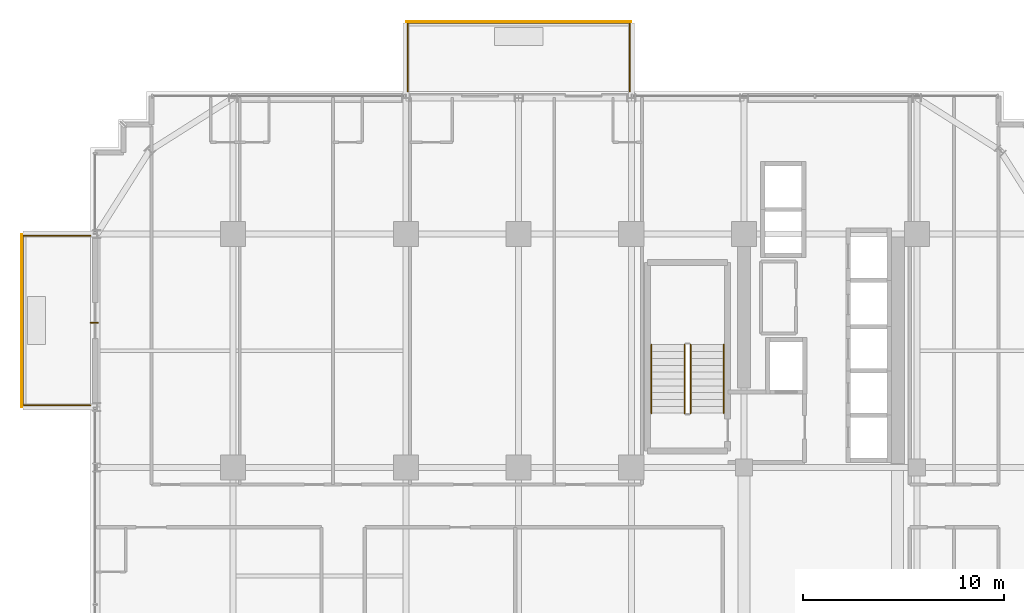
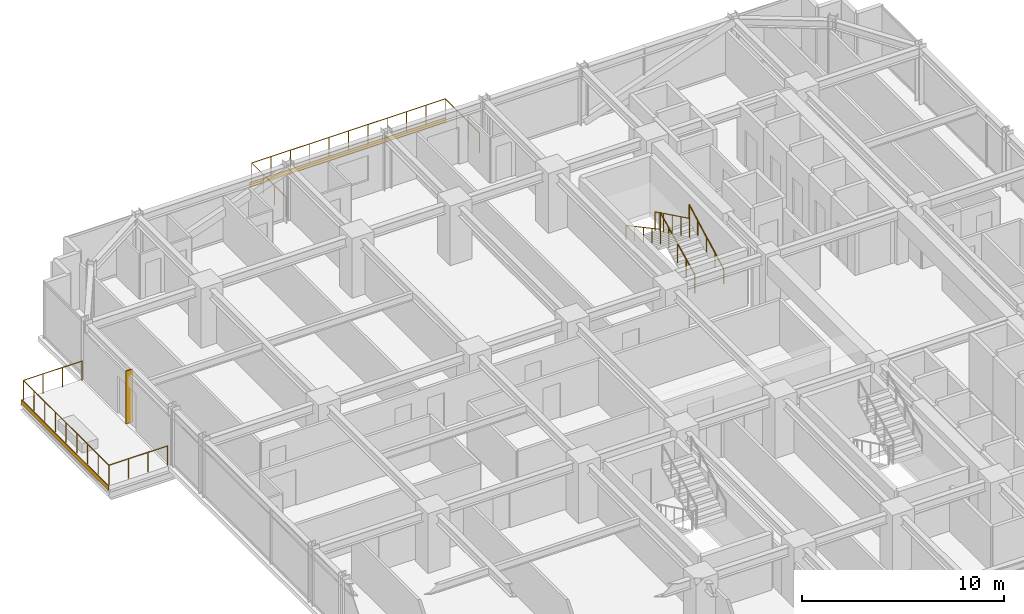
# One storey, part 38 of 40: 6 railings, 2 coverings, 1 shading device.
"""IFC4 building model written with IfcOpenShell, lengths in metres."""

import ifcopenshell
import ifcopenshell.guid

model = None  # the IFC model being written
_history = None  # IfcOwnerHistory: only IFC2X3 demands one
_inside = {}  # id of a spatial element -> (the spatial element, [elements in it])
_under = {}  # id of a project, library or spatial element -> (it, [spatial elements below it])
_declared = {}  # id of a project -> (the project, [libraries it declares])
_typed = {}  # id of a type object -> (the type object, [elements of that type])
_made_of = {}  # id of a material, layer set ... -> (it, [elements and type objects made of it])


def new_model(schema):
    """Start an empty IFC model of exactly this schema.

    Asked for "IFC4X3", IfcOpenShell would pick the latest addendum, in which some entities
    have other attributes; the version numbers below select the first issue.
    IFC2X3 requires an IfcOwnerHistory on every rooted entity: one is made here for all.
    """
    global model, _history
    if schema == "IFC4X3":
        model = ifcopenshell.file(schema_version=(4, 3, 0, 0))
    else:
        model = ifcopenshell.file(schema=schema)
    _inside.clear()
    _under.clear()
    _declared.clear()
    _typed.clear()
    _made_of.clear()
    _history = None
    if model.schema == "IFC2X3":
        org = make("IfcOrganization", Name="unknown")
        user = make(
            "IfcPersonAndOrganization",
            ThePerson=make("IfcPerson", FamilyName="unknown"),
            TheOrganization=org,
        )
        app = make(
            "IfcApplication",
            ApplicationDeveloper=org,
            Version="unknown",
            ApplicationFullName="unknown",
            ApplicationIdentifier="unknown",
        )
        _history = make(
            "IfcOwnerHistory",
            OwningUser=user,
            OwningApplication=app,
            ChangeAction="ADDED",
            CreationDate=0,
        )
    return model


def make(cls, **values):
    """One entity of the class cls with the attributes given. An attribute that is None is left unset."""
    return model.create_entity(
        cls, **{name: value for name, value in values.items() if value is not None}
    )


def rooted(cls, **values):
    """An entity with a GlobalId (a new one), such as an element, a storey or a relation."""
    return make(cls, GlobalId=ifcopenshell.guid.new(), OwnerHistory=_history, **values)


def si_unit(unit_type, name, prefix=None):
    """IfcSIUnit, for example si_unit("LENGTHUNIT", "METRE", prefix="MILLI")."""
    return make("IfcSIUnit", UnitType=unit_type, Prefix=prefix, Name=name)


def assignment(units):
    """IfcUnitAssignment: the units of a project."""
    return None if units is None else make("IfcUnitAssignment", Units=units)


def point(xyz):
    """IfcCartesianPoint."""
    return None if xyz is None else make("IfcCartesianPoint", Coordinates=xyz)


def direction(xyz):
    """IfcDirection."""
    return None if xyz is None else make("IfcDirection", DirectionRatios=xyz)


def frame(location, z_axis=None, x_axis=None):
    """IfcAxis2Placement3D, a coordinate frame: its origin and axes. An axis left out is left unset."""
    return make(
        "IfcAxis2Placement3D",
        Location=point(location),
        Axis=direction(z_axis),
        RefDirection=direction(x_axis),
    )


def frame_2d(location, x_axis=None):
    """IfcAxis2Placement2D, a coordinate frame in the plane: its origin and x axis."""
    return make(
        "IfcAxis2Placement2D", Location=point(location), RefDirection=direction(x_axis)
    )


def origin():
    """The frame at (0, 0, 0) with its axes left unset."""
    return frame((0.0, 0.0, 0.0))


def origin_2d():
    """The frame at (0, 0) in the plane with its x axis left unset."""
    return frame_2d((0.0, 0.0))


def place(relative_to, where):
    """IfcLocalPlacement: puts the frame where relative to a parent placement (None: the world)."""
    return make(
        "IfcLocalPlacement", PlacementRelTo=relative_to, RelativePlacement=where
    )


def context(
    kind, dimensions, precision=None, world=None, true_north=None, identifier=None
):
    """IfcGeometricRepresentationContext, for example the 3D "Model" context."""
    return make(
        "IfcGeometricRepresentationContext",
        ContextIdentifier=identifier,
        ContextType=kind,
        CoordinateSpaceDimension=dimensions,
        Precision=precision,
        WorldCoordinateSystem=world,
        TrueNorth=true_north,
    )


def subcontext(parent, identifier, kind, view, scale=None):
    """IfcGeometricRepresentationSubContext, for example "Body" below "Model"."""
    return make(
        "IfcGeometricRepresentationSubContext",
        ContextIdentifier=identifier,
        ContextType=kind,
        ParentContext=parent,
        TargetScale=scale,
        TargetView=view,
    )


def project(units=None, contexts=None):
    """IfcProject with its units and contexts."""
    return rooted(
        "IfcProject",
        Name="project",
        RepresentationContexts=contexts,
        UnitsInContext=assignment(units),
    )


def spatial(cls, under=None, at=None, **own):
    """A site, building, storey or space (cls), placed at a placement, below another one or the project."""
    s = rooted(cls, ObjectPlacement=at, **own)
    if under is not None:
        _under.setdefault(under.id(), (under, []))[1].append(s)
    return s


def profile(cls, at=None, kind="AREA", **sizes):
    """A parametric profile (cls). Its sizes go by their IFC names, for example OverallWidth=200.0."""
    return make(cls, ProfileType=kind, Position=at, **sizes)


def rectangle(**sizes):
    """IfcRectangleProfileDef."""
    return profile("IfcRectangleProfileDef", **sizes)


def circle(**sizes):
    """IfcCircleProfileDef."""
    return profile("IfcCircleProfileDef", **sizes)


def extrude(swept, where, along, depth):
    """IfcExtrudedAreaSolid: the profile swept, set in the frame where, extruded along a direction by depth."""
    return make(
        "IfcExtrudedAreaSolid",
        SweptArea=swept,
        Position=where,
        ExtrudedDirection=direction(along),
        Depth=depth,
    )


def shape(context_of_items, identifier, shape_type, items):
    """IfcShapeRepresentation: the items that make up one representation, for example the "Body"."""
    return make(
        "IfcShapeRepresentation",
        ContextOfItems=context_of_items,
        RepresentationIdentifier=identifier,
        RepresentationType=shape_type,
        Items=items,
    )


def source(mapping_origin, context_of_items, identifier, shape_type, items):
    """IfcRepresentationMap: a shape defined once, which mapped items show again and again."""
    return make(
        "IfcRepresentationMap",
        MappingOrigin=mapping_origin,
        MappedRepresentation=shape(context_of_items, identifier, shape_type, items),
    )


def transform(
    local_origin,
    x_axis=None,
    y_axis=None,
    z_axis=None,
    scale=None,
    scale2=None,
    scale3=None,
    uniform=True,
):
    """IfcCartesianTransformationOperator3D, or its non-uniform kind. x_axis, y_axis, z_axis: its Axis1, 2, 3."""
    if uniform:
        return make(
            "IfcCartesianTransformationOperator3D",
            Axis1=direction(x_axis),
            Axis2=direction(y_axis),
            LocalOrigin=point(local_origin),
            Scale=scale,
            Axis3=direction(z_axis),
        )
    return make(
        "IfcCartesianTransformationOperator3DnonUniform",
        Axis1=direction(x_axis),
        Axis2=direction(y_axis),
        LocalOrigin=point(local_origin),
        Scale=scale,
        Axis3=direction(z_axis),
        Scale2=scale2,
        Scale3=scale3,
    )


def mapped(mapping_source, mapping_target):
    """IfcMappedItem: shows the shape of a source again, moved by a transform."""
    return make(
        "IfcMappedItem", MappingSource=mapping_source, MappingTarget=mapping_target
    )


def material(Name=None, Category=None):
    """IfcMaterial."""
    return make("IfcMaterial", Name=Name, Category=Category)


def layer(
    of_material, thickness, ventilated=None, Name=None, Category=None, Priority=None
):
    """IfcMaterialLayer: one layer of a wall or slab, of a material (None: an air gap)."""
    return make(
        "IfcMaterialLayer",
        Material=of_material,
        LayerThickness=thickness,
        IsVentilated=ventilated,
        Name=Name,
        Category=Category,
        Priority=Priority,
    )


def layer_set(layers, Name=None):
    """IfcMaterialLayerSet."""
    return make("IfcMaterialLayerSet", MaterialLayers=layers, LayerSetName=Name)


def made_of(thing, what):
    """Note that an element or type object is made of a material, layer set ...; save() writes the relation."""
    if what is not None:
        _made_of.setdefault(what.id(), (what, []))[1].append(thing)
    return thing


def type_object(cls, material=None, **own):
    """A type object (cls), such as IfcWallType, which elements share."""
    return made_of(rooted(cls, **own), material)


def element(
    cls,
    number,
    at=None,
    inside=None,
    cuts=None,
    type_object=None,
    material=None,
    context=None,
    identifier="Body",
    shape_type=None,
    held_by="IfcProductDefinitionShape",
    body=None,
    shapes=None,
    **own,
):
    """One element of the class cls, such as IfcWall. Its Tag is "e" and its number.

    at: its placement. inside: the storey or other place that contains it. cuts: it is an
    opening in that element (IfcRelVoidsElement). A single representation is given by context,
    identifier, shape_type and body (its items); several are given by shapes. held_by: the class
    of the entity that holds the representations. save() writes the other relations.
    """
    e = rooted(cls, Tag="e%d" % number, ObjectPlacement=at, **own)
    if body is not None:
        shapes = [shape(context, identifier, shape_type, body)]
    if shapes is not None:
        e.Representation = make(held_by, Representations=shapes)
    if inside is not None:
        _inside.setdefault(inside.id(), (inside, []))[1].append(e)
    if cuts is not None:
        rooted(
            "IfcRelVoidsElement", RelatingBuildingElement=cuts, RelatedOpeningElement=e
        )
    if type_object is not None:
        _typed.setdefault(type_object.id(), (type_object, []))[1].append(e)
    return made_of(e, material)


def aggregate(whole, parts):
    """IfcRelAggregates: a whole, such as a stair, and the parts it consists of."""
    return rooted("IfcRelAggregates", RelatingObject=whole, RelatedObjects=parts)


def save(model, path):
    """Write the relations noted so far, then the file.

    IfcRelAggregates (storeys below a building ...), IfcRelContainedInSpatialStructure (elements
    in a storey), IfcRelDefinesByType, IfcRelAssociatesMaterial and IfcRelDeclares: one each for
    every whole, place, type object, material and project.
    """
    for whole, parts in _under.values():
        aggregate(whole, parts)
    for where, things in _inside.values():
        rooted(
            "IfcRelContainedInSpatialStructure",
            RelatedElements=things,
            RelatingStructure=where,
        )
    for kind, things in _typed.values():
        rooted("IfcRelDefinesByType", RelatedObjects=things, RelatingType=kind)
    for what, things in _made_of.values():
        rooted("IfcRelAssociatesMaterial", RelatedObjects=things, RelatingMaterial=what)
    for by, libraries in _declared.values():
        rooted("IfcRelDeclares", RelatingContext=by, RelatedDefinitions=libraries)
    model.write(path)


model = new_model("IFC4")

# Units and contexts
model_context = context("Model", 3, precision=1e-05, world=origin(), true_north=direction((0.0, 1.0)))
body_context = subcontext(model_context, "Body", "Model", "MODEL_VIEW")
ifc_project = project(units=[si_unit("LENGTHUNIT", "METRE"), si_unit("AREAUNIT", "SQUARE_METRE"), si_unit("VOLUMEUNIT", "CUBIC_METRE"), si_unit("PLANEANGLEUNIT", "RADIAN"), si_unit("MASSUNIT", "GRAM", prefix="KILO")], contexts=[model_context])

# Site, building, storey
site_placement = place(None, origin())
site = spatial("IfcSite", under=ifc_project, at=site_placement, CompositionType="ELEMENT")
building_placement = place(site_placement, origin())
building = spatial("IfcBuilding", under=site, at=building_placement, Name="Nahalor Promenade Grand Hotel", CompositionType="ELEMENT")
storey_placement = place(building_placement, frame((0.0, 0.0, 91.949951171875)))
storey = spatial("IfcBuildingStorey", under=building, at=storey_placement, Name="L22", CompositionType="ELEMENT", Elevation=91.949951171875)

# Railings
ifc_material_1 = material(Name="Anodised Bronze Aluminium EN AW-6063 T6", Category="aluminium")
railing_type_1 = type_object("IfcRailingType", Name="Bronze Balcony Guardrail 1200 mm", PredefinedType="GUARDRAIL", material=ifc_material_1)
railing_1_placement = place(storey_placement, frame((-8.320068359375, 24.10009765625, 0.0)))
element("IfcRailing", 1, at=railing_1_placement, inside=storey, type_object=railing_type_1, Name="L22 Balcony Guardrail 1", PredefinedType="GUARDRAIL", context=body_context, shape_type="SweptSolid", body=[
    extrude(circle(Radius=0.024048, at=origin_2d()), frame((0.0, 0.0, 1.17578125), z_axis=(0.0, 1.0, 0.0), x_axis=(-1.0, 0.0, 0.0)), (0.0, 0.0, 1.0), 3.39794921875),
    extrude(circle(Radius=0.024048, at=origin_2d()), frame((0.001953125, 3.39990234375, 1.17578125), z_axis=(1.0, 0.0, 0.0), x_axis=(0.0, 1.0, 0.0)), (0.0, 0.0, 1.0), 11.0361328125),
    extrude(circle(Radius=0.024048, at=origin_2d()), frame((11.0400390625, 3.39794921875, 1.17578125), z_axis=(0.0, -1.0, 0.0), x_axis=(1.0, 0.0, 0.0)), (0.0, 0.0, 1.0), 3.39794921875),
    extrude(circle(Radius=0.020996, at=origin_2d()), origin(), (0.0, 0.0, 1.0), 1.14990234375),
    extrude(circle(Radius=0.020996, at=origin_2d()), frame((0.0, 1.13330078125, 0.0)), (0.0, 0.0, 1.0), 1.14990234375),
    extrude(circle(Radius=0.020996, at=origin_2d()), frame((0.0, 2.2666015625, 0.0)), (0.0, 0.0, 1.0), 1.14990234375),
    extrude(circle(Radius=0.020996, at=origin_2d()), frame((0.0, 3.39990234375, 0.0)), (0.0, 0.0, 1.0), 1.14990234375),
    extrude(circle(Radius=0.020996, at=origin_2d()), frame((1.10400390625, 3.39990234375, 0.0)), (0.0, 0.0, 1.0), 1.14990234375),
    extrude(circle(Radius=0.020996, at=origin_2d()), frame((2.2080078125, 3.39990234375, 0.0)), (0.0, 0.0, 1.0), 1.14990234375),
    extrude(circle(Radius=0.020996, at=origin_2d()), frame((3.31201171875, 3.39990234375, 0.0)), (0.0, 0.0, 1.0), 1.14990234375),
    extrude(circle(Radius=0.020996, at=origin_2d()), frame((4.416015625, 3.39990234375, 0.0)), (0.0, 0.0, 1.0), 1.14990234375),
    extrude(circle(Radius=0.020996, at=origin_2d()), frame((5.52001953125, 3.39990234375, 0.0)), (0.0, 0.0, 1.0), 1.14990234375),
    extrude(circle(Radius=0.020996, at=origin_2d()), frame((6.6240234375, 3.39990234375, 0.0)), (0.0, 0.0, 1.0), 1.14990234375),
    extrude(circle(Radius=0.020996, at=origin_2d()), frame((7.72802734375, 3.39990234375, 0.0)), (0.0, 0.0, 1.0), 1.14990234375),
    extrude(circle(Radius=0.020996, at=origin_2d()), frame((8.83203125, 3.39990234375, 0.0)), (0.0, 0.0, 1.0), 1.14990234375),
    extrude(circle(Radius=0.020996, at=origin_2d()), frame((9.93603515625, 3.39990234375, 0.0)), (0.0, 0.0, 1.0), 1.14990234375),
    extrude(circle(Radius=0.020996, at=origin_2d()), frame((11.0400390625, 3.39990234375, 0.0)), (0.0, 0.0, 1.0), 1.14990234375),
    extrude(circle(Radius=0.020996, at=origin_2d()), frame((11.0400390625, 2.2666015625, 0.0)), (0.0, 0.0, 1.0), 1.14990234375),
    extrude(circle(Radius=0.020996, at=origin_2d()), frame((11.0400390625, 1.13330078125, 0.0)), (0.0, 0.0, 1.0), 1.14990234375),
    extrude(circle(Radius=0.020996, at=origin_2d()), frame((11.0400390625, 0.0, 0.0)), (0.0, 0.0, 1.0), 1.14990234375),
])
railing_2_placement = place(storey_placement, frame((-24.10009765625, 8.47998046875, 0.0)))
element("IfcRailing", 2, at=railing_2_placement, inside=storey, type_object=railing_type_1, Name="L22 Balcony Guardrail 2", PredefinedType="GUARDRAIL", context=body_context, shape_type="SweptSolid", body=[
    extrude(circle(Radius=0.024048, at=origin_2d()), frame((0.0, 0.0, 1.17578125), z_axis=(-1.0, 0.0, 0.0), x_axis=(0.0, -1.0, 0.0)), (0.0, 0.0, 1.0), 3.347900390625),
    extrude(circle(Radius=0.024048, at=origin_2d()), frame((-3.349853515625, 0.001953125, 1.17578125), z_axis=(0.0, 1.0, 0.0), x_axis=(-1.0, 0.0, 0.0)), (0.0, 0.0, 1.0), 8.43603515625),
    extrude(circle(Radius=0.024048, at=origin_2d()), frame((-3.347900390625, 8.43994140625, 1.17578125), z_axis=(1.0, 0.0, 0.0), x_axis=(0.0, 1.0, 0.0)), (0.0, 0.0, 1.0), 3.347900390625),
    extrude(circle(Radius=0.020996, at=origin_2d()), origin(), (0.0, 0.0, 1.0), 1.14990234375),
    extrude(circle(Radius=0.020996, at=origin_2d()), frame((-1.11669921875, 0.0, 0.0)), (0.0, 0.0, 1.0), 1.14990234375),
    extrude(circle(Radius=0.020996, at=origin_2d()), frame((-2.233154296875, 0.0, 0.0)), (0.0, 0.0, 1.0), 1.14990234375),
    extrude(circle(Radius=0.020996, at=origin_2d()), frame((-3.349853515625, 0.0, 0.0)), (0.0, 0.0, 1.0), 1.14990234375),
    extrude(circle(Radius=0.020996, at=origin_2d()), frame((-3.349853515625, 1.054931640625, 0.0)), (0.0, 0.0, 1.0), 1.14990234375),
    extrude(circle(Radius=0.020996, at=origin_2d()), frame((-3.349853515625, 2.10986328125, 0.0)), (0.0, 0.0, 1.0), 1.14990234375),
    extrude(circle(Radius=0.020996, at=origin_2d()), frame((-3.349853515625, 3.1650390625, 0.0)), (0.0, 0.0, 1.0), 1.14990234375),
    extrude(circle(Radius=0.020996, at=origin_2d()), frame((-3.349853515625, 4.219970703125, 0.0)), (0.0, 0.0, 1.0), 1.14990234375),
    extrude(circle(Radius=0.020996, at=origin_2d()), frame((-3.349853515625, 5.27490234375, 0.0)), (0.0, 0.0, 1.0), 1.14990234375),
    extrude(circle(Radius=0.020996, at=origin_2d()), frame((-3.349853515625, 6.330078125, 0.0)), (0.0, 0.0, 1.0), 1.14990234375),
    extrude(circle(Radius=0.020996, at=origin_2d()), frame((-3.349853515625, 7.385009765625, 0.0)), (0.0, 0.0, 1.0), 1.14990234375),
    extrude(circle(Radius=0.020996, at=origin_2d()), frame((-3.349853515625, 8.43994140625, 0.0)), (0.0, 0.0, 1.0), 1.14990234375),
    extrude(circle(Radius=0.020996, at=origin_2d()), frame((-2.233154296875, 8.43994140625, 0.0)), (0.0, 0.0, 1.0), 1.14990234375),
    extrude(circle(Radius=0.020996, at=origin_2d()), frame((-1.11669921875, 8.43994140625, 0.0)), (0.0, 0.0, 1.0), 1.14990234375),
    extrude(circle(Radius=0.020996, at=origin_2d()), frame((0.0, 8.43994140625, 0.0)), (0.0, 0.0, 1.0), 1.14990234375),
])
ifc_material_2 = material(Name="Steel S355JR", Category="steel")
railing_type_2 = type_object("IfcRailingType", Name="Steel Stair Guardrail 1150 mm", PredefinedType="GUARDRAIL", material=ifc_material_2)
railing_3_placement = place(storey_placement, frame((5.75, 8.10009765625, 0.166015625)))
element("IfcRailing", 3, at=railing_3_placement, inside=storey, type_object=railing_type_2, Name="L22 ST1 stair guard 1", PredefinedType="GUARDRAIL", context=body_context, shape_type="SweptSolid", body=[
    extrude(circle(Radius=0.024048, at=origin_2d()), frame((0.0, 0.0, 1.1259765625), z_axis=(0.0, 0.898721922897, 0.438518990814), x_axis=(-1.0, 0.0, 0.0)), (0.0, 0.0, 1.0), 3.782958984375),
    extrude(circle(Radius=0.020996, at=origin_2d()), origin(), (0.0, 0.0, 1.0), 1.099853515625),
    extrude(circle(Radius=0.020996, at=origin_2d()), frame((0.0, 0.85009765625, 0.414794921875)), (0.0, 0.0, 1.0), 1.099853515625),
    extrude(circle(Radius=0.020996, at=origin_2d()), frame((0.0, 1.699951171875, 0.82958984375)), (0.0, 0.0, 1.0), 1.099853515625),
    extrude(circle(Radius=0.020996, at=origin_2d()), frame((0.0, 2.5498046875, 1.244140625)), (0.0, 0.0, 1.0), 1.099853515625),
    extrude(circle(Radius=0.020996, at=origin_2d()), frame((0.0, 3.39990234375, 1.658935546875)), (0.0, 0.0, 1.0), 1.099853515625),
])
railing_4_placement = place(storey_placement, frame((5.449951171875, 11.5, 1.990966796875)))
element("IfcRailing", 4, at=railing_4_placement, inside=storey, type_object=railing_type_2, Name="L22 ST1 stair guard 3", PredefinedType="GUARDRAIL", context=body_context, shape_type="SweptSolid", body=[
    extrude(circle(Radius=0.024048, at=origin_2d()), frame((0.0, 0.0, 1.1259765625), z_axis=(0.0, -0.898696488221, 0.438571114028), x_axis=(1.0, 0.0, 0.0)), (0.0, 0.0, 1.0), 3.783203125),
    extrude(circle(Radius=0.020996, at=origin_2d()), origin(), (0.0, 0.0, 1.0), 1.099853515625),
    extrude(circle(Radius=0.020996, at=origin_2d()), frame((0.0, -0.85009765625, 0.414794921875)), (0.0, 0.0, 1.0), 1.099853515625),
    extrude(circle(Radius=0.020996, at=origin_2d()), frame((0.0, -1.699951171875, 0.82958984375)), (0.0, 0.0, 1.0), 1.099853515625),
    extrude(circle(Radius=0.020996, at=origin_2d()), frame((0.0, -2.5498046875, 1.244384765625)), (0.0, 0.0, 1.0), 1.099853515625),
    extrude(circle(Radius=0.020996, at=origin_2d()), frame((0.0, -3.39990234375, 1.6591796875)), (0.0, 0.0, 1.0), 1.099853515625),
])
railing_type_3 = type_object("IfcRailingType", Name="Steel Stair Handrail 900 mm", PredefinedType="HANDRAIL", material=ifc_material_2)
railing_5_placement = place(storey_placement, frame((7.39990234375, 8.10009765625, 0.166015625)))
element("IfcRailing", 5, at=railing_5_placement, inside=storey, type_object=railing_type_3, Name="L22 ST1 stair handrail 1", PredefinedType="HANDRAIL", context=body_context, shape_type="SweptSolid", body=[
    extrude(circle(Radius=0.024048, at=origin_2d()), frame((0.0, 0.0, 0.8759765625), z_axis=(0.0, 0.881094038095, 0.47294111265), x_axis=(-1.0, 0.0, 0.0)), (0.0, 0.0, 1.0), 3.858642578125),
    extrude(circle(Radius=0.020996, at=origin_2d()), origin(), (0.0, 0.0, 1.0), 0.849853515625),
    extrude(circle(Radius=0.020996, at=origin_2d()), frame((0.0, 0.85009765625, 0.456298828125)), (0.0, 0.0, 1.0), 0.849853515625),
    extrude(circle(Radius=0.020996, at=origin_2d()), frame((0.0, 1.699951171875, 0.91259765625)), (0.0, 0.0, 1.0), 0.849853515625),
    extrude(circle(Radius=0.020996, at=origin_2d()), frame((0.0, 2.5498046875, 1.36865234375)), (0.0, 0.0, 1.0), 0.849853515625),
    extrude(circle(Radius=0.020996, at=origin_2d()), frame((0.0, 3.39990234375, 1.824951171875)), (0.0, 0.0, 1.0), 0.849853515625),
])
railing_6_placement = place(storey_placement, frame((3.800048828125, 11.5, 1.990966796875)))
element("IfcRailing", 6, at=railing_6_placement, inside=storey, type_object=railing_type_3, Name="L22 ST1 stair handrail 2", PredefinedType="HANDRAIL", context=body_context, shape_type="SweptSolid", body=[
    extrude(circle(Radius=0.024048, at=origin_2d()), frame((0.0, 0.0, 0.8759765625), z_axis=(0.0, -0.881094038095, 0.47294111265), x_axis=(1.0, 0.0, 0.0)), (0.0, 0.0, 1.0), 3.858642578125),
    extrude(circle(Radius=0.020996, at=origin_2d()), origin(), (0.0, 0.0, 1.0), 0.849853515625),
    extrude(circle(Radius=0.020996, at=origin_2d()), frame((0.0, -0.85009765625, 0.456298828125)), (0.0, 0.0, 1.0), 0.849853515625),
    extrude(circle(Radius=0.020996, at=origin_2d()), frame((0.0, -1.699951171875, 0.91259765625)), (0.0, 0.0, 1.0), 0.849853515625),
    extrude(circle(Radius=0.020996, at=origin_2d()), frame((0.0, -2.5498046875, 1.36865234375)), (0.0, 0.0, 1.0), 0.849853515625),
    extrude(circle(Radius=0.020996, at=origin_2d()), frame((0.0, -3.39990234375, 1.824951171875)), (0.0, 0.0, 1.0), 0.849853515625),
])

# Shading device
ifc_layer_1 = layer(ifc_material_1, 0.06005859375)
ifc_layer_set_1 = layer_set([ifc_layer_1], Name="Anodised Bronze Aluminium EN AW-6063 T6")
shading_device_type = type_object("IfcShadingDeviceType", Name="Shade-SolarFin-Bronze", PredefinedType="JALOUSIE", material=ifc_layer_set_1)
shared_shape_1 = source(origin(), body_context, "Body", "SweptSolid", [
    extrude(rectangle(XDim=0.3798828125, YDim=0.06005859375, at=origin_2d()), origin(), (0.0, 0.0, 1.0), 3.199951171875),
])
shading_device_placement = place(storey_placement, frame((-23.909912109375, 12.60009765625, 0.0), z_axis=(0.0, 0.0, 1.0), x_axis=(1.0, 0.0, 0.0)))
element("IfcShadingDevice", 7, at=shading_device_placement, inside=storey, type_object=shading_device_type, Name="JAL-L22-W2", PredefinedType="JALOUSIE", context=body_context, shape_type="MappedRepresentation", body=[
    mapped(shared_shape_1, transform((0.0, 0.0, 0.0), scale=1.0)),
])

# Coverings
ifc_layer_2 = layer(ifc_material_1, 0.0400390625)
ifc_layer_set_2 = layer_set([ifc_layer_2], Name="Anodised Bronze Aluminium EN AW-6063 T6")
covering_type = type_object("IfcCoveringType", Name="Bronze Spandrel Cladding Panel", PredefinedType="CLADDING", material=ifc_layer_set_2)
shared_shape_2 = source(origin(), body_context, "Body", "SweptSolid", [
    extrude(rectangle(XDim=11.199951171875, YDim=0.0400390625, at=origin_2d()), origin(), (0.0, 0.0, 1.0), 0.280029296875),
])
covering_1_placement = place(storey_placement, frame((-2.800048828125, 27.56005859375, -0.27978515625), z_axis=(0.0, 0.0, 1.0), x_axis=(1.0, 0.0, 0.0)))
element("IfcCovering", 8, at=covering_1_placement, inside=storey, type_object=covering_type, Name="CL-L22-BALC-01", PredefinedType="CLADDING", context=body_context, shape_type="MappedRepresentation", body=[
    mapped(shared_shape_2, transform((0.0, 0.0, 0.0), scale=1.0)),
])
shared_shape_3 = source(origin(), body_context, "Body", "SweptSolid", [
    extrude(rectangle(XDim=8.60009765625, YDim=0.0400390625, at=origin_2d()), origin(), (0.0, 0.0, 1.0), 0.280029296875),
])
covering_2_placement = place(storey_placement, frame((-27.510009765625, 12.699951171875, -0.27978515625), z_axis=(0.0, 0.0, 1.0), x_axis=(0.0, 1.0, 0.0)))
element("IfcCovering", 9, at=covering_2_placement, inside=storey, type_object=covering_type, Name="CL-L22-BALC-02", PredefinedType="CLADDING", context=body_context, shape_type="MappedRepresentation", body=[
    mapped(shared_shape_3, transform((0.0, 0.0, 0.0), scale=1.0)),
])

save(model, "model.ifc")
